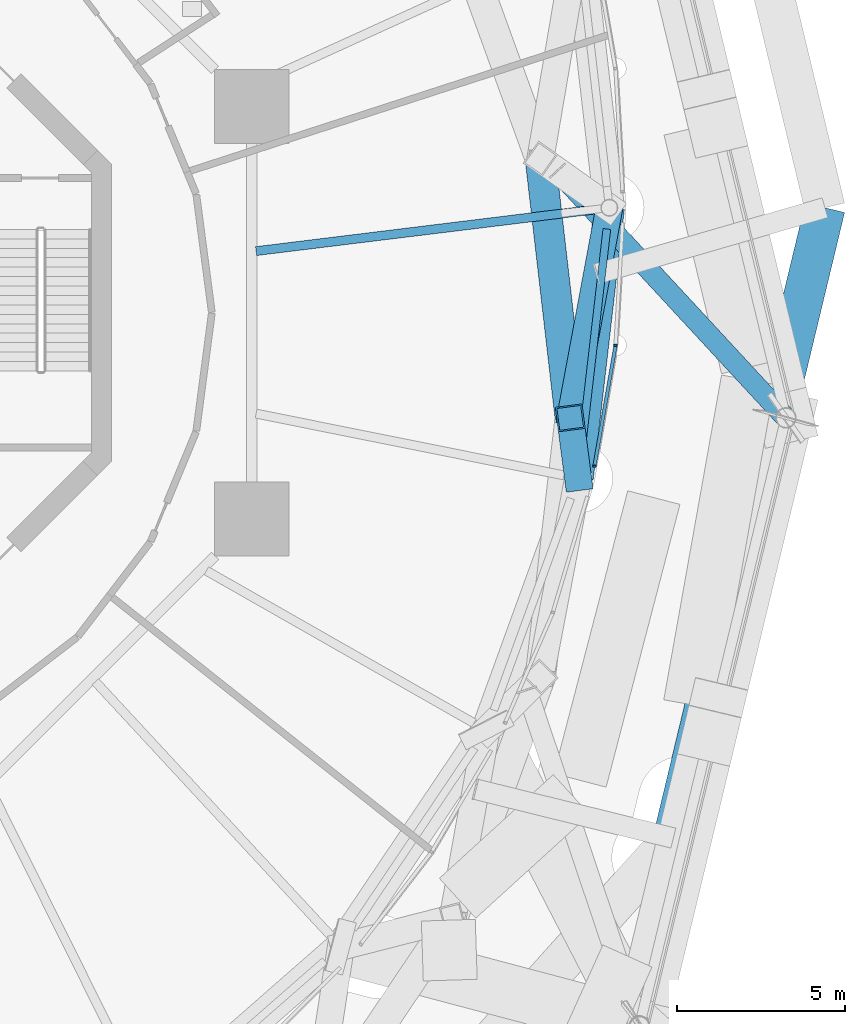
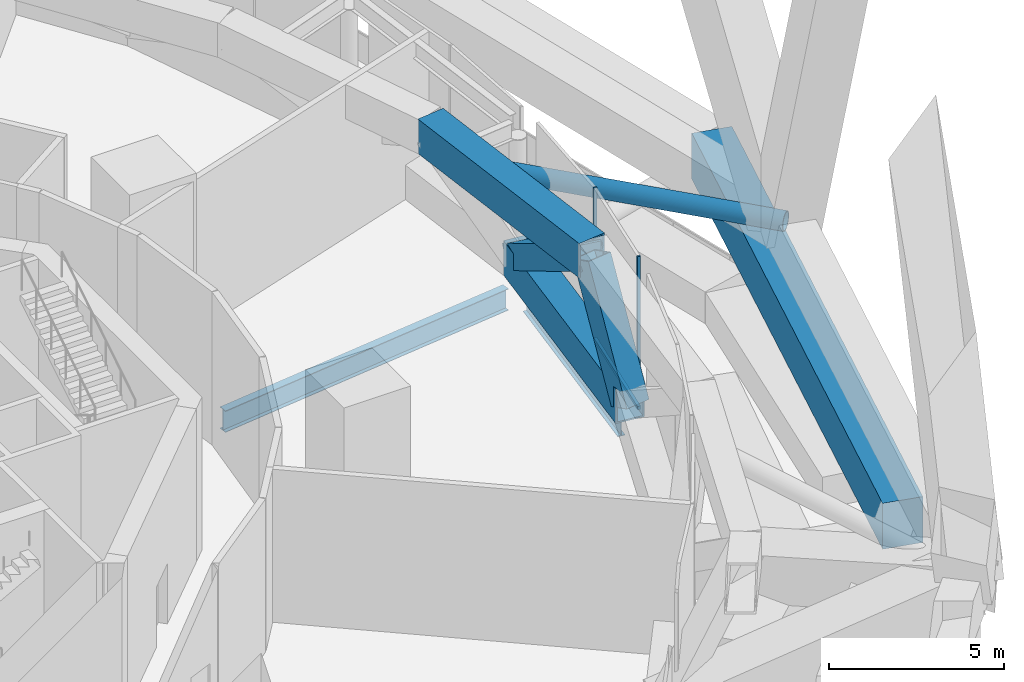
# One storey, part 28 of 65: 6 beams, 5 members, 2 elements without a shape of their own.
"""IFC4 building model written with IfcOpenShell, lengths in metres."""

from ifc_helpers import new_model, si_unit, direction, frame, origin, origin_2d, place, context, subcontext, project, spatial, rectangle, hollow_rectangle, hollow_circle, i_section, extrude, material, layer, layer_set, material_profile, profile_set, type_object, element, aggregate, save


model = new_model("IFC4")

# Units and contexts
model_context = context("Model", 3, precision=1e-05, world=origin(), true_north=direction((0.0, 1.0)))
body_context = subcontext(model_context, "Body", "Model", "MODEL_VIEW")
ifc_project = project(units=[si_unit("LENGTHUNIT", "METRE"), si_unit("AREAUNIT", "SQUARE_METRE"), si_unit("VOLUMEUNIT", "CUBIC_METRE"), si_unit("PLANEANGLEUNIT", "RADIAN"), si_unit("MASSUNIT", "GRAM", prefix="KILO")], contexts=[model_context])

# Site, building, storey
site_placement = place(None, origin())
site = spatial("IfcSite", under=ifc_project, at=site_placement, CompositionType="ELEMENT")
building_placement = place(site_placement, origin())
building = spatial("IfcBuilding", under=site, at=building_placement, Name="Nagisa Residences", CompositionType="ELEMENT")
storey_placement = place(building_placement, frame((0.0, 0.0, 114.0)))
storey = spatial("IfcBuildingStorey", under=building, at=storey_placement, Name="L28", CompositionType="ELEMENT", Elevation=114.0)

# Beams
ifc_material_1 = material(Name="Steel ASTM A572 Gr 50", Category="steel")
ifc_material_profile_1 = material_profile(ifc_material_1, hollow_rectangle(XDim=0.89990234375, YDim=1.199951171875, WallThickness=0.050048828125, at=origin_2d()), Name="BX 900x1200x50")
ifc_profile_set_1 = profile_set([ifc_material_profile_1], Name="Steel ASTM A572 Gr 50")
beam_type_1 = type_object("IfcBeamType", Name="Belt chord 2 BX 900x1200x50", PredefinedType="BEAM", material=ifc_profile_set_1)
beam_1_placement = place(storey_placement, frame((24.235107421875, -3.11767578125, 4.739990234375), z_axis=(-0.114676809707, 0.993402853487, 0.0), x_axis=(-0.993402853487, -0.114676809707, 0.0)))
element("IfcBeam", 1, at=beam_1_placement, inside=storey, type_object=beam_type_1, Name="beam:L28:bt2t01", PredefinedType="BEAM", context=body_context, shape_type="SweptSolid", body=[
    extrude(hollow_rectangle(XDim=0.89990234375, YDim=1.199951171875, WallThickness=0.050048828125, at=origin_2d()), origin(), (0.0, 0.0, 1.0), 7.736572265625),
])
beam_2_placement = place(storey_placement, frame((24.46826171875, -4.90966796875, 0.60009765625), z_axis=(0.114688326787, 0.993401523906, 0.0), x_axis=(-0.993401523906, 0.114688326787, 0.0)))
element("IfcBeam", 2, at=beam_2_placement, inside=storey, type_object=beam_type_1, Name="beam:L28:bt2b24", PredefinedType="BEAM", context=body_context, shape_type="SweptSolid", body=[
    extrude(hollow_rectangle(XDim=0.89990234375, YDim=1.199951171875, WallThickness=0.050048828125, at=origin_2d()), origin(), (0.0, 0.0, 1.0), 8.08056640625),
])
ifc_material_2 = material(Name="Steel ASTM A572 Gr 50", Category="steel")
ifc_material_profile_2 = material_profile(ifc_material_2, hollow_rectangle(XDim=0.800048828125, YDim=0.800048828125, WallThickness=0.044921875, at=origin_2d()), Name="BX 800x800x45")
ifc_profile_set_2 = profile_set([ifc_material_profile_2], Name="Steel ASTM A572 Gr 50")
beam_type_2 = type_object("IfcBeamType", Name="Belt diagonal 2 BX 800x800x45", PredefinedType="BEAM", material=ifc_profile_set_2)
beam_3_placement = place(storey_placement, frame((25.39501953125, 3.11767578125, 0.60009765625), z_axis=(-0.153146277457, -0.823270032887, 0.546601015962), x_axis=(0.983134395617, -0.182884554173, 0.0)))
element("IfcBeam", 3, at=beam_3_placement, inside=storey, type_object=beam_type_2, Name="beam:L28:bt2da01", PredefinedType="BEAM", context=body_context, shape_type="SweptSolid", body=[
    extrude(hollow_rectangle(XDim=0.800048828125, YDim=0.800048828125, WallThickness=0.044921875, at=origin_2d()), origin(), (0.0, 0.0, 1.0), 7.573974609375),
])
beam_4_placement = place(storey_placement, frame((24.46826171875, -4.90966796875, 0.60009765625), z_axis=(-0.051615779906, 0.396711858122, 0.916490868962), x_axis=(-0.991641794644, -0.129021514153, 0.0)))
element("IfcBeam", 4, at=beam_4_placement, inside=storey, type_object=beam_type_2, Name="beam:L28:bt2db24", PredefinedType="BEAM", context=body_context, shape_type="SweptSolid", body=[
    extrude(hollow_rectangle(XDim=0.800048828125, YDim=0.800048828125, WallThickness=0.044921875, at=origin_2d()), origin(), (0.0, 0.0, 1.0), 4.51708984375),
])

# Curtain wall, member
ifc_material_3 = material(Name="Aluminium curtain wall system", Category="aluminium")
ifc_layer = layer(ifc_material_3, 0.159912109375)
ifc_layer_set = layer_set([ifc_layer], Name="CW5 CURTAIN WALL")
curtain_wall_type = type_object("IfcCurtainWallType", Name="CW5 CURTAIN WALL", PredefinedType="NOTDEFINED", material=ifc_layer_set)
curtain_wall_1_placement = place(storey_placement, origin())
curtain_wall_1 = element("IfcCurtainWall", 5, at=curtain_wall_1_placement, inside=storey, type_object=curtain_wall_type, Name="cw:CW5:L28:46", PredefinedType="NOTDEFINED")
ifc_material_4 = material(Name="Aluminium", Category="aluminium")
ifc_material_profile_3 = material_profile(ifc_material_4, rectangle(XDim=0.10009765625, YDim=0.06005859375, at=origin_2d()), Name="CW5 MULLION 100x60")
ifc_profile_set_3 = profile_set([ifc_material_profile_3], Name="Aluminium")
member_type_1 = type_object("IfcMemberType", Name="CW5 MULLION 100x60", PredefinedType="MULLION", material=ifc_profile_set_3)
member_1_placement = place(storey_placement, frame((24.955078125, -4.552490234375, 0.0), z_axis=(0.0, 0.0, 1.0), x_axis=(-0.985063604377, 0.172190868898, 0.0)))
member_1 = element("IfcMember", 6, at=member_1_placement, type_object=member_type_1, Name="CW5 mullion", PredefinedType="MULLION", context=body_context, shape_type="SweptSolid", body=[
    extrude(rectangle(XDim=0.10009765625, YDim=0.06005859375, at=origin_2d()), origin(), (0.0, 0.0, 1.0), 5.340087890625),
])

curtain_wall_2_placement = place(storey_placement, origin())
curtain_wall_2 = element("IfcCurtainWall", 7, at=curtain_wall_2_placement, inside=storey, type_object=curtain_wall_type, Name="cw:CW5:L28:47", PredefinedType="NOTDEFINED")
member_2_placement = place(storey_placement, frame((25.579833984375, -0.961181640625, 0.0), z_axis=(0.0, 0.0, 1.0), x_axis=(-0.998345305184, 0.057503492216, 0.0)))
member_2 = element("IfcMember", 8, at=member_2_placement, type_object=member_type_1, Name="CW5 mullion", PredefinedType="MULLION", context=body_context, shape_type="SweptSolid", body=[
    extrude(rectangle(XDim=0.10009765625, YDim=0.06005859375, at=origin_2d()), origin(), (0.0, 0.0, 1.0), 5.340087890625),
])
aggregate(curtain_wall_2, [member_2])

# Member
ifc_material_5 = material(Name="Aluminium", Category="aluminium")
ifc_material_profile_4 = material_profile(ifc_material_5, rectangle(XDim=0.10009765625, YDim=0.1201171875, at=origin_2d()), Name="CW5 TRANSOM 100x120")
ifc_profile_set_4 = profile_set([ifc_material_profile_4], Name="Aluminium")
member_type_2 = type_object("IfcMemberType", Name="CW5 TRANSOM 100x120", PredefinedType="USERDEFINED", material=ifc_profile_set_4)
member_3_placement = place(storey_placement, frame((24.949951171875, -4.58203125, 0.06005859375), z_axis=(0.172226379644, 0.985057396376, 0.0), x_axis=(-0.985057396376, 0.172226379644, 0.0)))
member_3 = element("IfcMember", 9, at=member_3_placement, type_object=member_type_2, Name="CW5 transom", ObjectType="TRANSOM", PredefinedType="USERDEFINED", context=body_context, shape_type="SweptSolid", body=[
    extrude(rectangle(XDim=0.10009765625, YDim=0.1201171875, at=origin_2d()), origin(), (0.0, 0.0, 1.0), 3.654541015625),
])

aggregate(curtain_wall_1, [member_1, member_3])

# Members
ifc_material_6 = material(Name="Concrete C80", Category="concrete")
ifc_material_profile_5 = material_profile(ifc_material_6, rectangle(XDim=1.199951171875, YDim=1.60009765625, at=origin_2d()), Name="C80 1200x1600")
ifc_profile_set_5 = profile_set([ifc_material_profile_5], Name="Concrete C80")
member_type_3 = type_object("IfcMemberType", Name="Cage ring 2 C80 1200x1600", PredefinedType="CHORD", material=ifc_profile_set_5)
member_4_placement = place(storey_placement, frame((27.294189453125, -15.58984375, 1.89990234375), z_axis=(0.233909916693, 0.972258273749, 0.0), x_axis=(-0.972258273749, 0.233909916693, 0.0)))
element("IfcMember", 10, at=member_4_placement, inside=storey, type_object=member_type_3, Name="beam:L28:cg2r112", PredefinedType="CHORD", context=body_context, shape_type="SweptSolid", body=[
    extrude(rectangle(XDim=1.199951171875, YDim=1.60009765625, at=origin_2d()), origin(), (0.0, 0.0, 1.0), 19.2412109375),
])
ifc_material_7 = material(Name="Steel ASTM A572 Gr 65", Category="steel")
ifc_material_profile_6 = material_profile(ifc_material_7, hollow_circle(Radius=0.304931640625, WallThickness=0.02490234375, at=origin_2d()), Name="CHS 610x25")
ifc_profile_set_6 = profile_set([ifc_material_profile_6], Name="Steel ASTM A572 Gr 65")
member_type_4 = type_object("IfcMemberType", Name="Cage strut CHS 610x25", PredefinedType="STRUT", material=ifc_profile_set_6)
member_5_placement = place(storey_placement, frame((30.635009765625, -3.11767578125, 3.699951171875), z_axis=(-0.679082874272, 0.734061611768, 0.0), x_axis=(-0.734061611768, -0.679082874272, 0.0)))
element("IfcMember", 11, at=member_5_placement, inside=storey, type_object=member_type_4, Name="mem:L28:bt2st3b01", PredefinedType="STRUT", context=body_context, shape_type="SweptSolid", body=[
    extrude(hollow_circle(Radius=0.304931640625, WallThickness=0.02490234375, at=origin_2d()), origin(), (0.0, 0.0, 1.0), 9.9736328125),
])

# Beams
ifc_material_8 = material(Name="Steel ASTM A572 Gr 50", Category="steel")
ifc_material_profile_7 = material_profile(ifc_material_8, i_section(OverallWidth=0.22900390625, OverallDepth=0.612060546875, WebThickness=0.011962890625, FlangeThickness=0.01953125, at=origin_2d()), Name="W610x125")
ifc_profile_set_7 = profile_set([ifc_material_profile_7], Name="Steel ASTM A572 Gr 50")
beam_type_3 = type_object("IfcBeamType", Name="Perimeter ring beam W610x125", PredefinedType="BEAM", material=ifc_profile_set_7)
beam_5_placement = place(storey_placement, frame((24.541015625, -4.279296875, -0.656005859375), z_axis=(0.114690766503, 0.993401242237, 0.0), x_axis=(-0.993401242237, 0.114690766503, 0.0)))
element("IfcBeam", 12, at=beam_5_placement, inside=storey, type_object=beam_type_3, Name="beam:L28:pb24", PredefinedType="BEAM", context=body_context, shape_type="SweptSolid", body=[
    extrude(i_section(OverallWidth=0.22900390625, OverallDepth=0.612060546875, WebThickness=0.011962890625, FlangeThickness=0.01953125, at=origin_2d()), origin(), (0.0, 0.0, 1.0), 6.811767578125),
])
ifc_material_9 = material(Name="Steel ASTM A572 Gr 50", Category="steel")
ifc_material_profile_8 = material_profile(ifc_material_9, i_section(OverallWidth=0.264892578125, OverallDepth=0.7529296875, WebThickness=0.01318359375, FlangeThickness=0.01708984375, at=origin_2d()), Name="W760x147")
ifc_profile_set_8 = profile_set([ifc_material_profile_8], Name="Steel ASTM A572 Gr 50")
beam_type_4 = type_object("IfcBeamType", Name="Radial beam W760x147", PredefinedType="BEAM", material=ifc_profile_set_8)
beam_6_placement = place(storey_placement, frame((24.96484375, 3.06494140625, -0.7265625), z_axis=(-0.99254811139, -0.12185338147, 0.0), x_axis=(0.12185338147, -0.99254811139, 0.0)))
element("IfcBeam", 13, at=beam_6_placement, inside=storey, type_object=beam_type_4, Name="beam:L28:rb01", PredefinedType="BEAM", context=body_context, shape_type="SweptSolid", body=[
    extrude(i_section(OverallWidth=0.264892578125, OverallDepth=0.7529296875, WebThickness=0.01318359375, FlangeThickness=0.01708984375, at=origin_2d()), origin(), (0.0, 0.0, 1.0), 10.1259765625),
])

save(model, "model.ifc")
